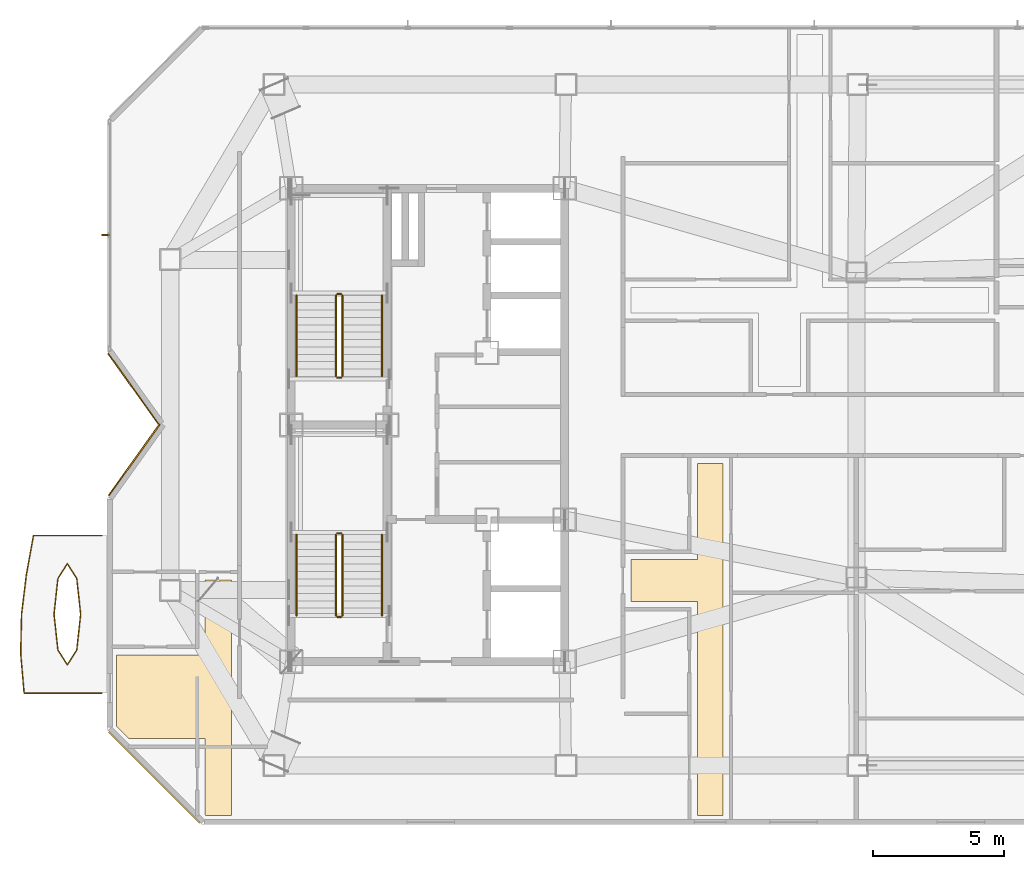
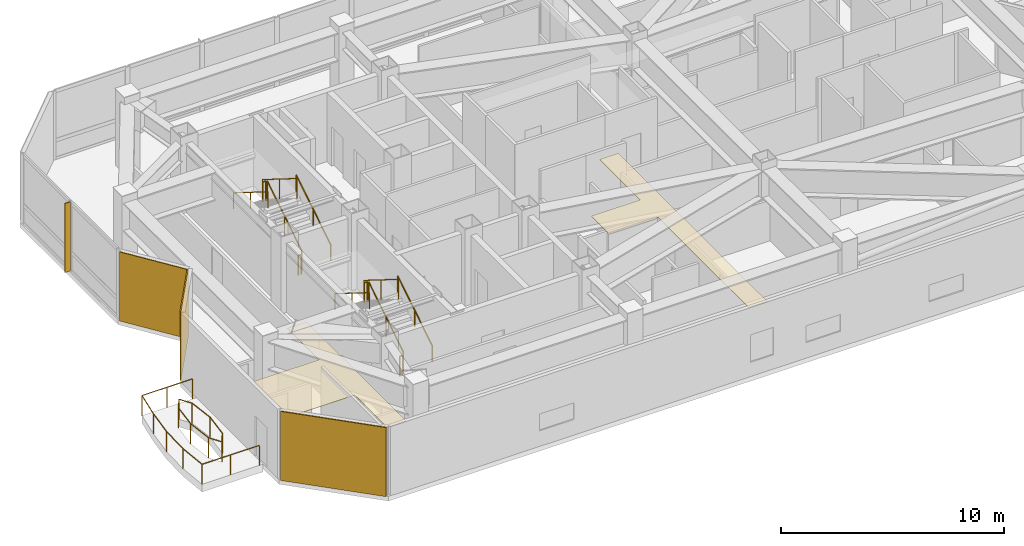
# One storey, part 14 of 16: 16 railings, 5 coverings, 1 shading device.
"""IFC4 building model written with IfcOpenShell, lengths in metres."""

from ifc_helpers import new_model, si_unit, direction, frame, origin, origin_2d, place, context, subcontext, project, spatial, polyline, rectangle, circle, outline, extrude, material, layer, layer_set, type_object, element, save


model = new_model("IFC4")

# Units and contexts
model_context = context("Model", 3, precision=1e-05, world=origin(), true_north=direction((0.0, 1.0)))
body_context = subcontext(model_context, "Body", "Model", "MODEL_VIEW")
ifc_project = project(units=[si_unit("LENGTHUNIT", "METRE"), si_unit("AREAUNIT", "SQUARE_METRE"), si_unit("VOLUMEUNIT", "CUBIC_METRE"), si_unit("PLANEANGLEUNIT", "RADIAN"), si_unit("MASSUNIT", "GRAM", prefix="KILO")], contexts=[model_context])

# Site, building, storey
site_placement = place(None, origin())
site = spatial("IfcSite", under=ifc_project, at=site_placement, CompositionType="ELEMENT")
building_placement = place(site_placement, origin())
building = spatial("IfcBuilding", under=site, at=building_placement, Name="Khamvora Tower", CompositionType="ELEMENT")
storey_placement = place(building_placement, frame((0.0, 0.0, 273.64990234375)))
storey = spatial("IfcBuildingStorey", under=building, at=storey_placement, Name="L70", CompositionType="ELEMENT", Elevation=273.64990234375)

# Coverings
ifc_material_1 = material(Name="Perforated Mineral-Fibre Acoustic Ceiling Tile", Category="gypsum")
ifc_layer_1 = layer(ifc_material_1, 0.02490234375)
ifc_layer_set_1 = layer_set([ifc_layer_1], Name="Perforated Mineral-Fibre Acoustic Ceiling Tile")
covering_type_1 = type_object("IfcCoveringType", Name="COV-CEIL-600", PredefinedType="CEILING", material=ifc_layer_set_1)
covering_1_placement = place(storey_placement, frame((0.0, 0.0, 3.5)))
element("IfcCovering", 1, at=covering_1_placement, inside=storey, type_object=covering_type_1, Name="L70 Apartment 70A Living and Dining Room acoustic ceiling panel", PredefinedType="CEILING", context=body_context, shape_type="SweptSolid", body=[
    extrude(outline(polyline([(26.72998046875, 13.14990234375), (25.7451171875, 13.14990234375), (25.72998046875, 13.1650390625), (25.72998046875, 16.06494140625), (22.830078125, 16.06494140625), (22.35009765625, 16.544921875), (22.35009765625, 19.2548828125), (25.72998046875, 19.2548828125), (25.72998046875, 22.10498046875), (26.72998046875, 22.10498046875), (26.72998046875, 13.14990234375)])), origin(), (0.0, 0.0, 1.0), 0.025146484375),
])
covering_2_placement = place(storey_placement, frame((0.0, 0.0, 3.5)))
element("IfcCovering", 2, at=covering_2_placement, inside=storey, type_object=covering_type_1, Name="L70 Apartment 70C Living and Dining Room acoustic ceiling panel", PredefinedType="CEILING", context=body_context, shape_type="SweptSolid", body=[
    extrude(outline(polyline([(44.449951171875, 26.530029296875), (45.419921875, 26.530029296875), (45.419921875, 13.14990234375), (44.449951171875, 13.14990234375), (44.449951171875, 21.2890625), (41.919921875, 21.2890625), (41.919921875, 22.87890625), (44.449951171875, 22.87890625), (44.449951171875, 26.530029296875)])), origin(), (0.0, 0.0, 1.0), 0.025146484375),
])
ifc_material_2 = material(Name="Pale Anodised Aluminium Rainscreen Panel", Category="aluminium")
ifc_layer_2 = layer(ifc_material_2, 0.044921875)
ifc_layer_set_2 = layer_set([ifc_layer_2], Name="Pale Anodised Aluminium Rainscreen Panel")
covering_type_2 = type_object("IfcCoveringType", Name="COV-CLD-ALU", PredefinedType="CLADDING", material=ifc_layer_set_2)
covering_3_placement = place(storey_placement, frame((22.990966796875, 29.382080078125, 0.0), z_axis=(0.0, 0.0, 1.0), x_axis=(-0.581321761926, 0.81367377315, 0.0)))
element("IfcCovering", 3, at=covering_3_placement, inside=storey, type_object=covering_type_2, Name="L70 chamfer rainscreen cladding 04.1", PredefinedType="CLADDING", context=body_context, shape_type="SweptSolid", body=[
    extrude(rectangle(XDim=3.2958984375, YDim=0.044921875, at=origin_2d()), origin(), (0.0, 0.0, 1.0), 3.780029296875),
])
ifc_material_3 = material(Name="Anodised Bronze Aluminium Spandrel Panel", Category="aluminium")
ifc_layer_3 = layer(ifc_material_3, 0.054931640625)
ifc_layer_set_3 = layer_set([ifc_layer_3], Name="Anodised Bronze Aluminium Spandrel Panel")
covering_type_3 = type_object("IfcCoveringType", Name="COV-CLD-BRZ", PredefinedType="CLADDING", material=ifc_layer_set_3)
covering_4_placement = place(storey_placement, frame((23.787109375, 14.5869140625, 0.0), z_axis=(0.0, 0.0, 1.0), x_axis=(-0.707106781187, 0.707106781187, 0.0)))
element("IfcCovering", 4, at=covering_4_placement, inside=storey, type_object=covering_type_3, Name="L70 chamfer rainscreen cladding 01.1", PredefinedType="CLADDING", context=body_context, shape_type="SweptSolid", body=[
    extrude(rectangle(XDim=4.907958984375, YDim=0.054931640625, at=origin_2d()), origin(), (0.0, 0.0, 1.0), 3.780029296875),
])
covering_5_placement = place(storey_placement, frame((23.029052734375, 26.673095703125, 0.0), z_axis=(0.0, 0.0, 1.0), x_axis=(0.581376017528, 0.813635008, 0.0)))
element("IfcCovering", 5, at=covering_5_placement, inside=storey, type_object=covering_type_3, Name="L70 chamfer rainscreen cladding 03.1", PredefinedType="CLADDING", context=body_context, shape_type="SweptSolid", body=[
    extrude(rectangle(XDim=3.33203125, YDim=0.054931640625, at=origin_2d()), origin(), (0.0, 0.0, 1.0), 3.780029296875),
])

# Railings
ifc_material_4 = material(Name="Stainless Steel 316 and Laminated Glass", Category="steel")
railing_type_1 = type_object("IfcRailingType", Name="RAL-GAL-1120", PredefinedType="GUARDRAIL", material=ifc_material_4)
railing_1_placement = place(storey_placement, frame((21.800048828125, 17.800048828125, 0.0)))
element("IfcRailing", 6, at=railing_1_placement, inside=storey, type_object=railing_type_1, Name="L70 lens gallery south perimeter guardrail WL1", PredefinedType="GUARDRAIL", context=body_context, shape_type="SweptSolid", body=[
    extrude(circle(Radius=0.02392578125, at=origin_2d()), frame((0.0, 0.0, 1.09619140625), z_axis=(-1.0, 0.0, 0.0), x_axis=(0.0, -1.0, 0.0)), (0.0, 0.0, 1.0), 2.962158203125),
    extrude(circle(Radius=0.02392578125, at=origin_2d()), frame((-2.962158203125, 0.0, 1.09619140625), z_axis=(-0.086265753567, 0.996272161491, 0.0), x_axis=(-0.996272161491, -0.086265753567, 0.0)), (0.0, 0.0, 1.0), 1.505615234375),
    extrude(circle(Radius=0.02392578125, at=origin_2d()), frame((-3.092041015625, 1.5, 1.09619140625), z_axis=(0.021316769712, 0.999772771848, 0.0), x_axis=(-0.999772771848, 0.021316769712, 0.0)), (0.0, 0.0, 1.0), 1.500244140625),
    extrude(circle(Radius=0.02099609375, at=origin_2d()), origin(), (0.0, 0.0, 1.0), 1.072021484375),
    extrude(circle(Radius=0.02099609375, at=origin_2d()), frame((-1.48095703125, 0.0, 0.0)), (0.0, 0.0, 1.0), 1.072021484375),
    extrude(circle(Radius=0.02099609375, at=origin_2d()), frame((-2.962158203125, 0.0, 0.0)), (0.0, 0.0, 1.0), 1.072021484375),
    extrude(circle(Radius=0.02099609375, at=origin_2d()), frame((-3.092041015625, 1.5, 0.0)), (0.0, 0.0, 1.0), 1.072021484375),
    extrude(circle(Radius=0.02099609375, at=origin_2d()), frame((-3.06005859375, 3.0, 0.0)), (0.0, 0.0, 1.0), 1.072021484375),
])
railing_2_placement = place(storey_placement, frame((18.739990234375, 20.800048828125, 0.0)))
element("IfcRailing", 7, at=railing_2_placement, inside=storey, type_object=railing_type_1, Name="L70 lens gallery north perimeter guardrail WL1", PredefinedType="GUARDRAIL", context=body_context, shape_type="SweptSolid", body=[
    extrude(circle(Radius=0.02392578125, at=origin_2d()), frame((0.0, 0.0, 1.09619140625), z_axis=(0.1211708576, 0.992631665457, 0.0), x_axis=(-0.992631665457, 0.1211708576, 0.0)), (0.0, 0.0, 1.0), 1.51123046875),
    extrude(circle(Radius=0.02392578125, at=origin_2d()), frame((0.18310546875, 1.5, 1.09619140625), z_axis=(0.178406250467, 0.983956914603, 0.0), x_axis=(-0.983956914603, 0.178406250467, 0.0)), (0.0, 0.0, 1.0), 1.5244140625),
    extrude(circle(Radius=0.02392578125, at=origin_2d()), frame((0.455078125, 3.0, 1.09619140625), z_axis=(1.0, 0.0, 0.0), x_axis=(0.0, 1.0, 0.0)), (0.0, 0.0, 1.0), 2.60498046875),
    extrude(circle(Radius=0.02099609375, at=origin_2d()), origin(), (0.0, 0.0, 1.0), 1.072021484375),
    extrude(circle(Radius=0.02099609375, at=origin_2d()), frame((0.18310546875, 1.5, 0.0)), (0.0, 0.0, 1.0), 1.072021484375),
    extrude(circle(Radius=0.02099609375, at=origin_2d()), frame((0.455078125, 3.0, 0.0)), (0.0, 0.0, 1.0), 1.072021484375),
    extrude(circle(Radius=0.02099609375, at=origin_2d()), frame((1.757568359375, 3.0, 0.0)), (0.0, 0.0, 1.0), 1.072021484375),
    extrude(circle(Radius=0.02099609375, at=origin_2d()), frame((3.06005859375, 3.0, 0.0)), (0.0, 0.0, 1.0), 1.072021484375),
])
railing_3_placement = place(storey_placement, frame((20.989013671875, 20.800048828125, 0.0)))
element("IfcRailing", 8, at=railing_3_placement, inside=storey, type_object=railing_type_1, Name="L70 lens gallery void guardrail WL1A", PredefinedType="GUARDRAIL", context=body_context, shape_type="SweptSolid", body=[
    extrude(circle(Radius=0.02392578125, at=origin_2d()), frame((0.0, 0.0, 1.09619140625), z_axis=(-0.10831262683, 0.994116881895, 0.0), x_axis=(-0.994116881895, -0.10831262683, 0.0)), (0.0, 0.0, 1.0), 1.365966796875),
    extrude(circle(Radius=0.02392578125, at=origin_2d()), frame((-0.14794921875, 1.35791015625, 1.09619140625), z_axis=(-0.535069542864, 0.844808016237, 0.0), x_axis=(-0.844808016237, -0.535069542864, 0.0)), (0.0, 0.0, 1.0), 0.665283203125),
    extrude(circle(Radius=0.02392578125, at=origin_2d()), frame((-0.50390625, 1.919921875, 1.09619140625), z_axis=(-0.535331385783, -0.844642117939, 0.0), x_axis=(0.844642117939, -0.535331385783, 0.0)), (0.0, 0.0, 1.0), 0.665283203125),
    extrude(circle(Radius=0.02392578125, at=origin_2d()), frame((-0.860107421875, 1.35791015625, 1.09619140625), z_axis=(-0.10831262683, -0.994116881895, 0.0), x_axis=(0.994116881895, -0.10831262683, 0.0)), (0.0, 0.0, 1.0), 1.365966796875),
    extrude(circle(Radius=0.02099609375, at=origin_2d()), origin(), (0.0, 0.0, 1.0), 1.072021484375),
    extrude(circle(Radius=0.02099609375, at=origin_2d()), frame((-0.14794921875, 1.35791015625, 0.0)), (0.0, 0.0, 1.0), 1.072021484375),
    extrude(circle(Radius=0.02099609375, at=origin_2d()), frame((-0.50390625, 1.919921875, 0.0)), (0.0, 0.0, 1.0), 1.072021484375),
    extrude(circle(Radius=0.02099609375, at=origin_2d()), frame((-0.860107421875, 1.35791015625, 0.0)), (0.0, 0.0, 1.0), 1.072021484375),
    extrude(circle(Radius=0.02099609375, at=origin_2d()), frame((-1.008056640625, 0.0, 0.0)), (0.0, 0.0, 1.0), 1.072021484375),
])
railing_4_placement = place(storey_placement, frame((19.98095703125, 20.800048828125, 0.0)))
element("IfcRailing", 9, at=railing_4_placement, inside=storey, type_object=railing_type_1, Name="L70 lens gallery void guardrail WL1B", PredefinedType="GUARDRAIL", context=body_context, shape_type="SweptSolid", body=[
    extrude(circle(Radius=0.02392578125, at=origin_2d()), frame((0.0, 0.0, 1.09619140625), z_axis=(0.108293385003, -0.994118978173, 0.0), x_axis=(0.994118978173, 0.108293385003, 0.0)), (0.0, 0.0, 1.0), 1.3662109375),
    extrude(circle(Radius=0.02392578125, at=origin_2d()), frame((0.14794921875, -1.358154296875, 1.09619140625), z_axis=(0.535331385783, -0.844642117939, 0.0), x_axis=(0.844642117939, 0.535331385783, 0.0)), (0.0, 0.0, 1.0), 0.665283203125),
    extrude(circle(Radius=0.02392578125, at=origin_2d()), frame((0.504150390625, -1.920166015625, 1.09619140625), z_axis=(0.535069542864, 0.844808016237, 0.0), x_axis=(-0.844808016237, 0.535069542864, 0.0)), (0.0, 0.0, 1.0), 0.665283203125),
    extrude(circle(Radius=0.02392578125, at=origin_2d()), frame((0.860107421875, -1.358154296875, 1.09619140625), z_axis=(0.108293385003, 0.994118978173, 0.0), x_axis=(-0.994118978173, 0.108293385003, 0.0)), (0.0, 0.0, 1.0), 1.3662109375),
    extrude(circle(Radius=0.02099609375, at=origin_2d()), origin(), (0.0, 0.0, 1.0), 1.072021484375),
    extrude(circle(Radius=0.02099609375, at=origin_2d()), frame((0.14794921875, -1.358154296875, 0.0)), (0.0, 0.0, 1.0), 1.072021484375),
    extrude(circle(Radius=0.02099609375, at=origin_2d()), frame((0.504150390625, -1.920166015625, 0.0)), (0.0, 0.0, 1.0), 1.072021484375),
    extrude(circle(Radius=0.02099609375, at=origin_2d()), frame((0.860107421875, -1.358154296875, 0.0)), (0.0, 0.0, 1.0), 1.072021484375),
    extrude(circle(Radius=0.02099609375, at=origin_2d()), frame((1.008056640625, 0.0, 0.0)), (0.0, 0.0, 1.0), 1.072021484375),
])
ifc_material_5 = material(Name="Brushed Stainless Steel 316", Category="steel")
railing_type_2 = type_object("IfcRailingType", Name="RAL-HDR-920", PredefinedType="HANDRAIL", material=ifc_material_5)
railing_5_placement = place(storey_placement, frame((32.449951171875, 20.75, 0.175048828125)))
element("IfcRailing", 10, at=railing_5_placement, inside=storey, type_object=railing_type_2, Name="L70 ST-01 stair handrail 1", PredefinedType="HANDRAIL", context=body_context, shape_type="SweptSolid", body=[
    extrude(circle(Radius=0.02392578125, at=origin_2d()), frame((0.0, 0.0, 0.8759765625), z_axis=(0.0, 0.847998304005, 0.529998940003), x_axis=(-1.0, 0.0, 0.0)), (0.0, 0.0, 1.0), 3.632080078125),
    extrude(circle(Radius=0.02099609375, at=origin_2d()), origin(), (0.0, 0.0, 1.0), 0.851806640625),
    extrude(circle(Radius=0.02099609375, at=origin_2d()), frame((0.0, 1.5400390625, 0.96240234375)), (0.0, 0.0, 1.0), 0.851806640625),
    extrude(circle(Radius=0.02099609375, at=origin_2d()), frame((0.0, 3.080078125, 1.925048828125)), (0.0, 0.0, 1.0), 0.851806640625),
])
railing_6_placement = place(storey_placement, frame((29.199951171875, 23.830078125, 2.275146484375)))
element("IfcRailing", 11, at=railing_6_placement, inside=storey, type_object=railing_type_2, Name="L70 ST-01 stair handrail 2", PredefinedType="HANDRAIL", context=body_context, shape_type="SweptSolid", body=[
    extrude(circle(Radius=0.02392578125, at=origin_2d()), frame((0.0, 0.0, 0.8759765625), z_axis=(0.0, -0.847998304005, 0.529998940003), x_axis=(1.0, 0.0, 0.0)), (0.0, 0.0, 1.0), 3.632080078125),
    extrude(circle(Radius=0.02099609375, at=origin_2d()), origin(), (0.0, 0.0, 1.0), 0.851806640625),
    extrude(circle(Radius=0.02099609375, at=origin_2d()), frame((0.0, -1.5400390625, 0.96240234375)), (0.0, 0.0, 1.0), 0.851806640625),
    extrude(circle(Radius=0.02099609375, at=origin_2d()), frame((0.0, -3.080078125, 1.925048828125)), (0.0, 0.0, 1.0), 0.851806640625),
])
railing_7_placement = place(storey_placement, frame((32.449951171875, 29.85009765625, 0.175048828125)))
element("IfcRailing", 12, at=railing_7_placement, inside=storey, type_object=railing_type_2, Name="L70 ST-02 stair handrail 1", PredefinedType="HANDRAIL", context=body_context, shape_type="SweptSolid", body=[
    extrude(circle(Radius=0.02392578125, at=origin_2d()), frame((0.0, 0.0, 0.8759765625), z_axis=(0.0, 0.847979421464, 0.530029150871), x_axis=(-1.0, 0.0, 0.0)), (0.0, 0.0, 1.0), 3.632080078125),
    extrude(circle(Radius=0.02099609375, at=origin_2d()), origin(), (0.0, 0.0, 1.0), 0.851806640625),
    extrude(circle(Radius=0.02099609375, at=origin_2d()), frame((0.0, 1.5400390625, 0.96240234375)), (0.0, 0.0, 1.0), 0.851806640625),
    extrude(circle(Radius=0.02099609375, at=origin_2d()), frame((0.0, 3.079833984375, 1.925048828125)), (0.0, 0.0, 1.0), 0.851806640625),
])
railing_8_placement = place(storey_placement, frame((29.199951171875, 32.929931640625, 2.275146484375)))
element("IfcRailing", 13, at=railing_8_placement, inside=storey, type_object=railing_type_2, Name="L70 ST-02 stair handrail 2", PredefinedType="HANDRAIL", context=body_context, shape_type="SweptSolid", body=[
    extrude(circle(Radius=0.02392578125, at=origin_2d()), frame((0.0, 0.0, 0.8759765625), z_axis=(0.0, -0.847979421464, 0.530029150871), x_axis=(1.0, 0.0, 0.0)), (0.0, 0.0, 1.0), 3.632080078125),
    extrude(circle(Radius=0.02099609375, at=origin_2d()), origin(), (0.0, 0.0, 1.0), 0.851806640625),
    extrude(circle(Radius=0.02099609375, at=origin_2d()), frame((0.0, -1.5400390625, 0.96240234375)), (0.0, 0.0, 1.0), 0.851806640625),
    extrude(circle(Radius=0.02099609375, at=origin_2d()), frame((0.0, -3.079833984375, 1.925048828125)), (0.0, 0.0, 1.0), 0.851806640625),
])
ifc_material_6 = material(Name="Stainless Steel 316", Category="steel")
railing_type_3 = type_object("IfcRailingType", Name="RAL-STG-1100", PredefinedType="GUARDRAIL", material=ifc_material_6)
railing_9_placement = place(storey_placement, frame((30.949951171875, 20.75, 0.175048828125)))
element("IfcRailing", 14, at=railing_9_placement, inside=storey, type_object=railing_type_3, Name="L70 ST-01 stair guard 1", PredefinedType="GUARDRAIL", context=body_context, shape_type="SweptSolid", body=[
    extrude(circle(Radius=0.02392578125, at=origin_2d()), frame((0.0, 0.0, 1.076171875), z_axis=(0.0, 0.847998304005, 0.529998940003), x_axis=(-1.0, 0.0, 0.0)), (0.0, 0.0, 1.0), 3.632080078125),
    extrude(circle(Radius=0.02099609375, at=origin_2d()), origin(), (0.0, 0.0, 1.0), 1.052001953125),
    extrude(circle(Radius=0.02099609375, at=origin_2d()), frame((0.0, 1.5400390625, 0.96240234375)), (0.0, 0.0, 1.0), 1.052001953125),
    extrude(circle(Radius=0.02099609375, at=origin_2d()), frame((0.0, 3.080078125, 1.925048828125)), (0.0, 0.0, 1.0), 1.052001953125),
])
railing_10_placement = place(storey_placement, frame((30.89990234375, 23.8798828125, 2.10009765625)))
element("IfcRailing", 15, at=railing_10_placement, inside=storey, type_object=railing_type_3, Name="L70 ST-01 stair guard 2", PredefinedType="GUARDRAIL", context=body_context, shape_type="SweptSolid", body=[
    extrude(circle(Radius=0.02392578125, at=origin_2d()), frame((0.0, 0.0, 1.076171875), z_axis=(-1.0, 0.0, 0.0), x_axis=(0.0, -1.0, 0.0)), (0.0, 0.0, 1.0), 0.14990234375),
    extrude(circle(Radius=0.02099609375, at=origin_2d()), origin(), (0.0, 0.0, 1.0), 1.052001953125),
    extrude(circle(Radius=0.02099609375, at=origin_2d()), frame((-0.14990234375, 0.0, 0.0)), (0.0, 0.0, 1.0), 1.052001953125),
])
railing_11_placement = place(storey_placement, frame((30.699951171875, 23.830078125, 2.275146484375)))
element("IfcRailing", 16, at=railing_11_placement, inside=storey, type_object=railing_type_3, Name="L70 ST-01 stair guard 3", PredefinedType="GUARDRAIL", context=body_context, shape_type="SweptSolid", body=[
    extrude(circle(Radius=0.02392578125, at=origin_2d()), frame((0.0, 0.0, 1.076171875), z_axis=(0.0, -0.847998304005, 0.529998940003), x_axis=(1.0, 0.0, 0.0)), (0.0, 0.0, 1.0), 3.632080078125),
    extrude(circle(Radius=0.02099609375, at=origin_2d()), origin(), (0.0, 0.0, 1.0), 1.052001953125),
    extrude(circle(Radius=0.02099609375, at=origin_2d()), frame((0.0, -1.5400390625, 0.96240234375)), (0.0, 0.0, 1.0), 1.052001953125),
    extrude(circle(Radius=0.02099609375, at=origin_2d()), frame((0.0, -3.080078125, 1.925048828125)), (0.0, 0.0, 1.0), 1.052001953125),
])
railing_12_placement = place(storey_placement, frame((30.89990234375, 20.699951171875, 0.0)))
element("IfcRailing", 17, at=railing_12_placement, inside=storey, type_object=railing_type_3, Name="L70 ST-01 stair guard 4", PredefinedType="GUARDRAIL", context=body_context, shape_type="SweptSolid", body=[
    extrude(circle(Radius=0.02392578125, at=origin_2d()), frame((0.0, 0.0, 1.076171875), z_axis=(-1.0, 0.0, 0.0), x_axis=(0.0, -1.0, 0.0)), (0.0, 0.0, 1.0), 0.14990234375),
    extrude(circle(Radius=0.02099609375, at=origin_2d()), origin(), (0.0, 0.0, 1.0), 1.052001953125),
    extrude(circle(Radius=0.02099609375, at=origin_2d()), frame((-0.14990234375, 0.0, 0.0)), (0.0, 0.0, 1.0), 1.052001953125),
])
railing_13_placement = place(storey_placement, frame((30.949951171875, 29.85009765625, 0.175048828125)))
element("IfcRailing", 18, at=railing_13_placement, inside=storey, type_object=railing_type_3, Name="L70 ST-02 stair guard 1", PredefinedType="GUARDRAIL", context=body_context, shape_type="SweptSolid", body=[
    extrude(circle(Radius=0.02392578125, at=origin_2d()), frame((0.0, 0.0, 1.076171875), z_axis=(0.0, 0.847979421464, 0.530029150871), x_axis=(-1.0, 0.0, 0.0)), (0.0, 0.0, 1.0), 3.632080078125),
    extrude(circle(Radius=0.02099609375, at=origin_2d()), origin(), (0.0, 0.0, 1.0), 1.052001953125),
    extrude(circle(Radius=0.02099609375, at=origin_2d()), frame((0.0, 1.5400390625, 0.96240234375)), (0.0, 0.0, 1.0), 1.052001953125),
    extrude(circle(Radius=0.02099609375, at=origin_2d()), frame((0.0, 3.079833984375, 1.925048828125)), (0.0, 0.0, 1.0), 1.052001953125),
])
railing_14_placement = place(storey_placement, frame((30.89990234375, 32.97998046875, 2.10009765625)))
element("IfcRailing", 19, at=railing_14_placement, inside=storey, type_object=railing_type_3, Name="L70 ST-02 stair guard 2", PredefinedType="GUARDRAIL", context=body_context, shape_type="SweptSolid", body=[
    extrude(circle(Radius=0.02392578125, at=origin_2d()), frame((0.0, 0.0, 1.076171875), z_axis=(-1.0, 0.0, 0.0), x_axis=(0.0, -1.0, 0.0)), (0.0, 0.0, 1.0), 0.14990234375),
    extrude(circle(Radius=0.02099609375, at=origin_2d()), origin(), (0.0, 0.0, 1.0), 1.052001953125),
    extrude(circle(Radius=0.02099609375, at=origin_2d()), frame((-0.14990234375, 0.0, 0.0)), (0.0, 0.0, 1.0), 1.052001953125),
])
railing_15_placement = place(storey_placement, frame((30.699951171875, 32.929931640625, 2.275146484375)))
element("IfcRailing", 20, at=railing_15_placement, inside=storey, type_object=railing_type_3, Name="L70 ST-02 stair guard 3", PredefinedType="GUARDRAIL", context=body_context, shape_type="SweptSolid", body=[
    extrude(circle(Radius=0.02392578125, at=origin_2d()), frame((0.0, 0.0, 1.076171875), z_axis=(0.0, -0.847979421464, 0.530029150871), x_axis=(1.0, 0.0, 0.0)), (0.0, 0.0, 1.0), 3.632080078125),
    extrude(circle(Radius=0.02099609375, at=origin_2d()), origin(), (0.0, 0.0, 1.0), 1.052001953125),
    extrude(circle(Radius=0.02099609375, at=origin_2d()), frame((0.0, -1.5400390625, 0.96240234375)), (0.0, 0.0, 1.0), 1.052001953125),
    extrude(circle(Radius=0.02099609375, at=origin_2d()), frame((0.0, -3.079833984375, 1.925048828125)), (0.0, 0.0, 1.0), 1.052001953125),
])
railing_16_placement = place(storey_placement, frame((30.89990234375, 29.800048828125, 0.0)))
element("IfcRailing", 21, at=railing_16_placement, inside=storey, type_object=railing_type_3, Name="L70 ST-02 stair guard 4", PredefinedType="GUARDRAIL", context=body_context, shape_type="SweptSolid", body=[
    extrude(circle(Radius=0.02392578125, at=origin_2d()), frame((0.0, 0.0, 1.076171875), z_axis=(-1.0, 0.0, 0.0), x_axis=(0.0, -1.0, 0.0)), (0.0, 0.0, 1.0), 0.14990234375),
    extrude(circle(Radius=0.02099609375, at=origin_2d()), origin(), (0.0, 0.0, 1.0), 1.052001953125),
    extrude(circle(Radius=0.02099609375, at=origin_2d()), frame((-0.14990234375, 0.0, 0.0)), (0.0, 0.0, 1.0), 1.052001953125),
])

# Shading device
ifc_material_7 = material(Name="Pale Anodised Aluminium 6063-T6", Category="aluminium")
shading_device_type = type_object("IfcShadingDeviceType", Name="SHD-FIN-280", PredefinedType="USERDEFINED", material=ifc_material_7)
shading_device_placement = place(storey_placement, frame((21.93505859375, 35.220947265625, 0.0), z_axis=(0.0, 0.0, 1.0), x_axis=(0.0, 1.0, 0.0)))
element("IfcShadingDevice", 22, at=shading_device_placement, inside=storey, type_object=shading_device_type, Name="L70 anodised bronze solar fin 05.01", ObjectType="FIN", PredefinedType="USERDEFINED", context=body_context, shape_type="SweptSolid", body=[
    extrude(rectangle(XDim=0.050048828125, YDim=0.280029296875, at=origin_2d()), origin(), (0.0, 0.0, 1.0), 3.780029296875),
])

save(model, "model.ifc")
